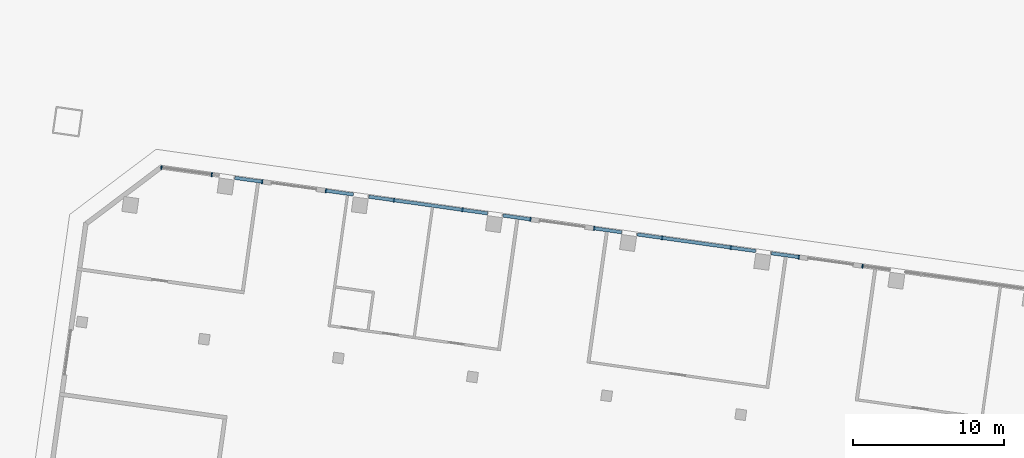
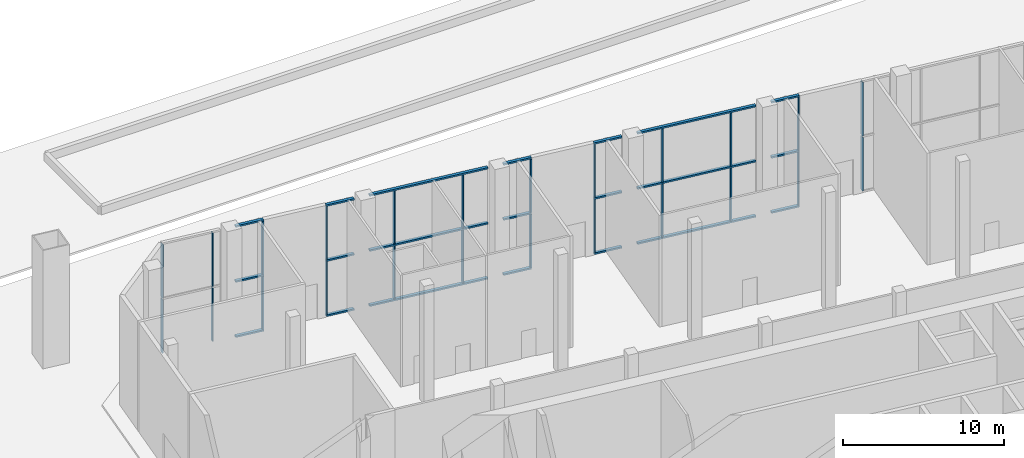
# One storey, part 4 of 34: 45 members, 4 elements without a shape of their own.
"""IFC4 building model written with IfcOpenShell, lengths in metres."""

from ifc_helpers import new_model, si_unit, direction, frame, origin, origin_2d, place, context, subcontext, project, spatial, rectangle, extrude, material, material_profile, profile_set, type_object, element, aggregate, save


model = new_model("IFC4")

# Units and contexts
model_context = context("Model", 3, precision=1e-05, world=origin(), true_north=direction((0.0, 1.0)))
body_context = subcontext(model_context, "Body", "Model", "MODEL_VIEW")
ifc_project = project(units=[si_unit("LENGTHUNIT", "METRE"), si_unit("AREAUNIT", "SQUARE_METRE"), si_unit("VOLUMEUNIT", "CUBIC_METRE"), si_unit("PLANEANGLEUNIT", "RADIAN"), si_unit("MASSUNIT", "GRAM", prefix="KILO")], contexts=[model_context])

# Site, building, storey
site_placement = place(None, origin())
site = spatial("IfcSite", under=ifc_project, at=site_placement, CompositionType="ELEMENT")
building_placement = place(site_placement, origin())
building = spatial("IfcBuilding", under=site, at=building_placement, Name="Mirante Cascada Hotel Towers", CompositionType="ELEMENT")
storey_placement = place(building_placement, origin())
storey = spatial("IfcBuildingStorey", under=building, at=storey_placement, Name="L00", CompositionType="ELEMENT", Elevation=0.0)

# Curtain wall, members
ifc_material_1 = material(Name="Aluminium mullion and transom frame with clear laminated glass", Category="aluminium")
curtain_wall_type = type_object("IfcCurtainWallType", Name="Podium curtain wall ECW3", PredefinedType="NOTDEFINED", material=ifc_material_1)
curtain_wall_1_placement = place(storey_placement, origin())
curtain_wall_1 = element("IfcCurtainWall", 1, at=curtain_wall_1_placement, inside=storey, type_object=curtain_wall_type, Name="Podium curtain wall L00 run front.1", PredefinedType="NOTDEFINED")
ifc_material_2 = material(Name="Anodised aluminium extrusion", Category="aluminium")
ifc_material_profile_1 = material_profile(ifc_material_2, rectangle(XDim=0.26, YDim=0.08, at=origin_2d()), Name="ECW3 MULLION 80x260")
ifc_profile_set_1 = profile_set([ifc_material_profile_1], Name="Anodised aluminium extrusion")
member_type_1 = type_object("IfcMemberType", Name="ECW3 mullion 80x260", PredefinedType="MULLION", material=ifc_profile_set_1)
member_1_placement = place(storey_placement, frame((-94.1185, 26.0465, 0.12), z_axis=(0.0, 0.0, 1.0), x_axis=(0.1391731, 0.9902681, 0.0)))
member_1 = element("IfcMember", 2, at=member_1_placement, type_object=member_type_1, Name="ECW3 mullion 1", PredefinedType="MULLION", context=body_context, shape_type="SweptSolid", body=[
    extrude(rectangle(XDim=0.26, YDim=0.08, at=origin_2d()), origin(), (0.0, 0.0, 1.0), 4.07),
])
member_2_placement = place(storey_placement, frame((-94.1185, 26.0465, 4.31), z_axis=(0.0, 0.0, 1.0), x_axis=(0.1391731, 0.9902681, 0.0)))
member_2 = element("IfcMember", 3, at=member_2_placement, type_object=member_type_1, Name="ECW3 mullion 1", PredefinedType="MULLION", context=body_context, shape_type="SweptSolid", body=[
    extrude(rectangle(XDim=0.26, YDim=0.08, at=origin_2d()), origin(), (0.0, 0.0, 1.0), 4.07),
])
member_3_placement = place(storey_placement, frame((-90.7725, 25.5763, 0.12), z_axis=(0.0, 0.0, 1.0), x_axis=(0.1391731, 0.9902681, 0.0)))
member_3 = element("IfcMember", 4, at=member_3_placement, type_object=member_type_1, Name="ECW3 mullion 2", PredefinedType="MULLION", context=body_context, shape_type="SweptSolid", body=[
    extrude(rectangle(XDim=0.26, YDim=0.08, at=origin_2d()), origin(), (0.0, 0.0, 1.0), 4.07),
])
member_4_placement = place(storey_placement, frame((-90.7725, 25.5763, 4.31), z_axis=(0.0, 0.0, 1.0), x_axis=(0.1391731, 0.9902681, 0.0)))
member_4 = element("IfcMember", 5, at=member_4_placement, type_object=member_type_1, Name="ECW3 mullion 2", PredefinedType="MULLION", context=body_context, shape_type="SweptSolid", body=[
    extrude(rectangle(XDim=0.26, YDim=0.08, at=origin_2d()), origin(), (0.0, 0.0, 1.0), 4.07),
])
member_5_placement = place(storey_placement, frame((-87.4264, 25.106, 0.12), z_axis=(0.0, 0.0, 1.0), x_axis=(0.1391731, 0.9902681, 0.0)))
member_5 = element("IfcMember", 6, at=member_5_placement, type_object=member_type_1, Name="ECW3 mullion 3", PredefinedType="MULLION", context=body_context, shape_type="SweptSolid", body=[
    extrude(rectangle(XDim=0.26, YDim=0.08, at=origin_2d()), origin(), (0.0, 0.0, 1.0), 4.07),
])
member_6_placement = place(storey_placement, frame((-87.4264, 25.106, 4.31), z_axis=(0.0, 0.0, 1.0), x_axis=(0.1391731, 0.9902681, 0.0)))
member_6 = element("IfcMember", 7, at=member_6_placement, type_object=member_type_1, Name="ECW3 mullion 3", PredefinedType="MULLION", context=body_context, shape_type="SweptSolid", body=[
    extrude(rectangle(XDim=0.26, YDim=0.08, at=origin_2d()), origin(), (0.0, 0.0, 1.0), 4.07),
])

curtain_wall_2_placement = place(storey_placement, origin())
curtain_wall_2 = element("IfcCurtainWall", 8, at=curtain_wall_2_placement, inside=storey, type_object=curtain_wall_type, Name="Podium curtain wall L00 run front.3", PredefinedType="NOTDEFINED")
member_7_placement = place(storey_placement, frame((-83.1881, 24.5103, 0.12), z_axis=(0.0, 0.0, 1.0), x_axis=(0.1391731, 0.9902681, 0.0)))
member_7 = element("IfcMember", 9, at=member_7_placement, type_object=member_type_1, Name="ECW3 mullion 1", PredefinedType="MULLION", context=body_context, shape_type="SweptSolid", body=[
    extrude(rectangle(XDim=0.26, YDim=0.08, at=origin_2d()), origin(), (0.0, 0.0, 1.0), 4.07),
])
member_8_placement = place(storey_placement, frame((-83.1881, 24.5103, 4.31), z_axis=(0.0, 0.0, 1.0), x_axis=(0.1391731, 0.9902681, 0.0)))
member_8 = element("IfcMember", 10, at=member_8_placement, type_object=member_type_1, Name="ECW3 mullion 1", PredefinedType="MULLION", context=body_context, shape_type="SweptSolid", body=[
    extrude(rectangle(XDim=0.26, YDim=0.08, at=origin_2d()), origin(), (0.0, 0.0, 1.0), 4.07),
])
member_9_placement = place(storey_placement, frame((-78.6725, 23.8757, 0.12), z_axis=(0.0, 0.0, 1.0), x_axis=(0.1391731, 0.9902681, 0.0)))
member_9 = element("IfcMember", 11, at=member_9_placement, type_object=member_type_1, Name="ECW3 mullion 2", PredefinedType="MULLION", context=body_context, shape_type="SweptSolid", body=[
    extrude(rectangle(XDim=0.26, YDim=0.08, at=origin_2d()), origin(), (0.0, 0.0, 1.0), 4.07),
])
member_10_placement = place(storey_placement, frame((-78.6725, 23.8757, 4.31), z_axis=(0.0, 0.0, 1.0), x_axis=(0.1391731, 0.9902681, 0.0)))
member_10 = element("IfcMember", 12, at=member_10_placement, type_object=member_type_1, Name="ECW3 mullion 2", PredefinedType="MULLION", context=body_context, shape_type="SweptSolid", body=[
    extrude(rectangle(XDim=0.26, YDim=0.08, at=origin_2d()), origin(), (0.0, 0.0, 1.0), 4.07),
])
member_11_placement = place(storey_placement, frame((-74.1172, 23.2355, 0.12), z_axis=(0.0, 0.0, 1.0), x_axis=(0.1391731, 0.9902681, 0.0)))
member_11 = element("IfcMember", 13, at=member_11_placement, type_object=member_type_1, Name="ECW3 mullion 3", PredefinedType="MULLION", context=body_context, shape_type="SweptSolid", body=[
    extrude(rectangle(XDim=0.26, YDim=0.08, at=origin_2d()), origin(), (0.0, 0.0, 1.0), 4.07),
])
member_12_placement = place(storey_placement, frame((-74.1172, 23.2355, 4.31), z_axis=(0.0, 0.0, 1.0), x_axis=(0.1391731, 0.9902681, 0.0)))
member_12 = element("IfcMember", 14, at=member_12_placement, type_object=member_type_1, Name="ECW3 mullion 3", PredefinedType="MULLION", context=body_context, shape_type="SweptSolid", body=[
    extrude(rectangle(XDim=0.26, YDim=0.08, at=origin_2d()), origin(), (0.0, 0.0, 1.0), 4.07),
])
member_13_placement = place(storey_placement, frame((-69.6016, 22.6009, 0.12), z_axis=(0.0, 0.0, 1.0), x_axis=(0.1391731, 0.9902681, 0.0)))
member_13 = element("IfcMember", 15, at=member_13_placement, type_object=member_type_1, Name="ECW3 mullion 4", PredefinedType="MULLION", context=body_context, shape_type="SweptSolid", body=[
    extrude(rectangle(XDim=0.26, YDim=0.08, at=origin_2d()), origin(), (0.0, 0.0, 1.0), 4.07),
])
member_14_placement = place(storey_placement, frame((-69.6016, 22.6009, 4.31), z_axis=(0.0, 0.0, 1.0), x_axis=(0.1391731, 0.9902681, 0.0)))
member_14 = element("IfcMember", 16, at=member_14_placement, type_object=member_type_1, Name="ECW3 mullion 4", PredefinedType="MULLION", context=body_context, shape_type="SweptSolid", body=[
    extrude(rectangle(XDim=0.26, YDim=0.08, at=origin_2d()), origin(), (0.0, 0.0, 1.0), 4.07),
])

curtain_wall_3_placement = place(storey_placement, origin())
curtain_wall_3 = element("IfcCurtainWall", 17, at=curtain_wall_3_placement, inside=storey, type_object=curtain_wall_type, Name="Podium curtain wall L00 run front.5", PredefinedType="NOTDEFINED")
member_15_placement = place(storey_placement, frame((-65.3633, 22.0052, 0.12), z_axis=(0.0, 0.0, 1.0), x_axis=(0.1391731, 0.9902681, 0.0)))
member_15 = element("IfcMember", 18, at=member_15_placement, type_object=member_type_1, Name="ECW3 mullion 1", PredefinedType="MULLION", context=body_context, shape_type="SweptSolid", body=[
    extrude(rectangle(XDim=0.26, YDim=0.08, at=origin_2d()), origin(), (0.0, 0.0, 1.0), 4.07),
])
member_16_placement = place(storey_placement, frame((-65.3633, 22.0052, 4.31), z_axis=(0.0, 0.0, 1.0), x_axis=(0.1391731, 0.9902681, 0.0)))
member_16 = element("IfcMember", 19, at=member_16_placement, type_object=member_type_1, Name="ECW3 mullion 1", PredefinedType="MULLION", context=body_context, shape_type="SweptSolid", body=[
    extrude(rectangle(XDim=0.26, YDim=0.08, at=origin_2d()), origin(), (0.0, 0.0, 1.0), 4.07),
])
member_17_placement = place(storey_placement, frame((-60.8476, 21.3706, 0.12), z_axis=(0.0, 0.0, 1.0), x_axis=(0.1391731, 0.9902681, 0.0)))
member_17 = element("IfcMember", 20, at=member_17_placement, type_object=member_type_1, Name="ECW3 mullion 2", PredefinedType="MULLION", context=body_context, shape_type="SweptSolid", body=[
    extrude(rectangle(XDim=0.26, YDim=0.08, at=origin_2d()), origin(), (0.0, 0.0, 1.0), 4.07),
])
member_18_placement = place(storey_placement, frame((-60.8476, 21.3706, 4.31), z_axis=(0.0, 0.0, 1.0), x_axis=(0.1391731, 0.9902681, 0.0)))
member_18 = element("IfcMember", 21, at=member_18_placement, type_object=member_type_1, Name="ECW3 mullion 2", PredefinedType="MULLION", context=body_context, shape_type="SweptSolid", body=[
    extrude(rectangle(XDim=0.26, YDim=0.08, at=origin_2d()), origin(), (0.0, 0.0, 1.0), 4.07),
])
member_19_placement = place(storey_placement, frame((-56.2924, 20.7304, 0.12), z_axis=(0.0, 0.0, 1.0), x_axis=(0.1391731, 0.9902681, 0.0)))
member_19 = element("IfcMember", 22, at=member_19_placement, type_object=member_type_1, Name="ECW3 mullion 3", PredefinedType="MULLION", context=body_context, shape_type="SweptSolid", body=[
    extrude(rectangle(XDim=0.26, YDim=0.08, at=origin_2d()), origin(), (0.0, 0.0, 1.0), 4.07),
])
member_20_placement = place(storey_placement, frame((-56.2924, 20.7304, 4.31), z_axis=(0.0, 0.0, 1.0), x_axis=(0.1391731, 0.9902681, 0.0)))
member_20 = element("IfcMember", 23, at=member_20_placement, type_object=member_type_1, Name="ECW3 mullion 3", PredefinedType="MULLION", context=body_context, shape_type="SweptSolid", body=[
    extrude(rectangle(XDim=0.26, YDim=0.08, at=origin_2d()), origin(), (0.0, 0.0, 1.0), 4.07),
])
member_21_placement = place(storey_placement, frame((-51.7768, 20.0958, 0.12), z_axis=(0.0, 0.0, 1.0), x_axis=(0.1391731, 0.9902681, 0.0)))
member_21 = element("IfcMember", 24, at=member_21_placement, type_object=member_type_1, Name="ECW3 mullion 4", PredefinedType="MULLION", context=body_context, shape_type="SweptSolid", body=[
    extrude(rectangle(XDim=0.26, YDim=0.08, at=origin_2d()), origin(), (0.0, 0.0, 1.0), 4.07),
])
member_22_placement = place(storey_placement, frame((-51.7768, 20.0958, 4.31), z_axis=(0.0, 0.0, 1.0), x_axis=(0.1391731, 0.9902681, 0.0)))
member_22 = element("IfcMember", 25, at=member_22_placement, type_object=member_type_1, Name="ECW3 mullion 4", PredefinedType="MULLION", context=body_context, shape_type="SweptSolid", body=[
    extrude(rectangle(XDim=0.26, YDim=0.08, at=origin_2d()), origin(), (0.0, 0.0, 1.0), 4.07),
])

curtain_wall_4_placement = place(storey_placement, origin())
curtain_wall_4 = element("IfcCurtainWall", 26, at=curtain_wall_4_placement, inside=storey, type_object=curtain_wall_type, Name="Podium curtain wall L00 run front.7", PredefinedType="NOTDEFINED")
member_23_placement = place(storey_placement, frame((-47.5384, 19.5001, 0.12), z_axis=(0.0, 0.0, 1.0), x_axis=(0.1391731, 0.9902681, 0.0)))
member_23 = element("IfcMember", 27, at=member_23_placement, type_object=member_type_1, Name="ECW3 mullion 1", PredefinedType="MULLION", context=body_context, shape_type="SweptSolid", body=[
    extrude(rectangle(XDim=0.26, YDim=0.08, at=origin_2d()), origin(), (0.0, 0.0, 1.0), 4.07),
])
member_24_placement = place(storey_placement, frame((-47.5384, 19.5001, 4.31), z_axis=(0.0, 0.0, 1.0), x_axis=(0.1391731, 0.9902681, 0.0)))
member_24 = element("IfcMember", 28, at=member_24_placement, type_object=member_type_1, Name="ECW3 mullion 1", PredefinedType="MULLION", context=body_context, shape_type="SweptSolid", body=[
    extrude(rectangle(XDim=0.26, YDim=0.08, at=origin_2d()), origin(), (0.0, 0.0, 1.0), 4.07),
])
aggregate(curtain_wall_4, [member_23, member_24])

# Member
ifc_material_3 = material(Name="Anodised aluminium extrusion", Category="aluminium")
ifc_material_profile_2 = material_profile(ifc_material_3, rectangle(XDim=0.22, YDim=0.12, at=origin_2d()), Name="ECW3 TRANSOM 120x220")
ifc_profile_set_2 = profile_set([ifc_material_profile_2], Name="Anodised aluminium extrusion")
member_type_2 = type_object("IfcMemberType", Name="ECW3 transom 120x220", PredefinedType="USERDEFINED", material=ifc_profile_set_2)
member_25_placement = place(storey_placement, frame((-89.2485, 25.3621, 0.06), z_axis=(0.990264, -0.1392019, 0.0), x_axis=(0.1392019, 0.990264, 0.0)))
member_25 = element("IfcMember", 29, at=member_25_placement, type_object=member_type_2, Name="ECW3 sill transom", ObjectType="TRANSOM", PredefinedType="USERDEFINED", context=body_context, shape_type="SweptSolid", body=[
    extrude(rectangle(XDim=0.22, YDim=0.12, at=origin_2d()), origin(), (0.0, 0.0, 1.0), 1.88),
])

member_26_placement = place(storey_placement, frame((-89.2485, 25.3621, 4.25), z_axis=(0.990264, -0.1392019, 0.0), x_axis=(0.1392019, 0.990264, 0.0)))
member_26 = element("IfcMember", 30, at=member_26_placement, type_object=member_type_2, Name="ECW3 intermediate transom", ObjectType="TRANSOM", PredefinedType="USERDEFINED", context=body_context, shape_type="SweptSolid", body=[
    extrude(rectangle(XDim=0.22, YDim=0.12, at=origin_2d()), origin(), (0.0, 0.0, 1.0), 1.88),
])

member_27_placement = place(storey_placement, frame((-89.2485, 25.3621, 8.44), z_axis=(0.990264, -0.1392019, 0.0), x_axis=(0.1392019, 0.990264, 0.0)))
member_27 = element("IfcMember", 31, at=member_27_placement, type_object=member_type_2, Name="ECW3 head transom", ObjectType="TRANSOM", PredefinedType="USERDEFINED", context=body_context, shape_type="SweptSolid", body=[
    extrude(rectangle(XDim=0.22, YDim=0.12, at=origin_2d()), origin(), (0.0, 0.0, 1.0), 1.88),
])

aggregate(curtain_wall_1, [member_25, member_26, member_27, member_1, member_2, member_3, member_4, member_5, member_6])

member_28_placement = place(storey_placement, frame((-83.2277, 24.5159, 0.06), z_axis=(0.9902714, -0.1391497, 0.0), x_axis=(0.1391497, 0.9902714, 0.0)))
member_28 = element("IfcMember", 32, at=member_28_placement, type_object=member_type_2, Name="ECW3 sill transom", ObjectType="TRANSOM", PredefinedType="USERDEFINED", context=body_context, shape_type="SweptSolid", body=[
    extrude(rectangle(XDim=0.22, YDim=0.12, at=origin_2d()), origin(), (0.0, 0.0, 1.0), 1.88),
])

member_29_placement = place(storey_placement, frame((-80.3361, 24.1095, 0.06), z_axis=(0.9902683, -0.1391715, 0.0), x_axis=(0.1391715, 0.9902683, 0.0)))
member_29 = element("IfcMember", 33, at=member_29_placement, type_object=member_type_2, Name="ECW3 sill transom", ObjectType="TRANSOM", PredefinedType="USERDEFINED", context=body_context, shape_type="SweptSolid", body=[
    extrude(rectangle(XDim=0.22, YDim=0.12, at=origin_2d()), origin(), (0.0, 0.0, 1.0), 7.96),
])

member_30_placement = place(storey_placement, frame((-71.4237, 22.857, 0.06), z_axis=(0.990264, -0.1392019, 0.0), x_axis=(0.1392019, 0.990264, 0.0)))
member_30 = element("IfcMember", 34, at=member_30_placement, type_object=member_type_2, Name="ECW3 sill transom", ObjectType="TRANSOM", PredefinedType="USERDEFINED", context=body_context, shape_type="SweptSolid", body=[
    extrude(rectangle(XDim=0.22, YDim=0.12, at=origin_2d()), origin(), (0.0, 0.0, 1.0), 1.88),
])

member_31_placement = place(storey_placement, frame((-83.2277, 24.5159, 4.25), z_axis=(0.9902714, -0.1391497, 0.0), x_axis=(0.1391497, 0.9902714, 0.0)))
member_31 = element("IfcMember", 35, at=member_31_placement, type_object=member_type_2, Name="ECW3 intermediate transom", ObjectType="TRANSOM", PredefinedType="USERDEFINED", context=body_context, shape_type="SweptSolid", body=[
    extrude(rectangle(XDim=0.22, YDim=0.12, at=origin_2d()), origin(), (0.0, 0.0, 1.0), 1.88),
])

member_32_placement = place(storey_placement, frame((-80.3361, 24.1095, 4.25), z_axis=(0.9902683, -0.1391715, 0.0), x_axis=(0.1391715, 0.9902683, 0.0)))
member_32 = element("IfcMember", 36, at=member_32_placement, type_object=member_type_2, Name="ECW3 intermediate transom", ObjectType="TRANSOM", PredefinedType="USERDEFINED", context=body_context, shape_type="SweptSolid", body=[
    extrude(rectangle(XDim=0.22, YDim=0.12, at=origin_2d()), origin(), (0.0, 0.0, 1.0), 7.96),
])

member_33_placement = place(storey_placement, frame((-71.4237, 22.857, 4.25), z_axis=(0.990264, -0.1392019, 0.0), x_axis=(0.1392019, 0.990264, 0.0)))
member_33 = element("IfcMember", 37, at=member_33_placement, type_object=member_type_2, Name="ECW3 intermediate transom", ObjectType="TRANSOM", PredefinedType="USERDEFINED", context=body_context, shape_type="SweptSolid", body=[
    extrude(rectangle(XDim=0.22, YDim=0.12, at=origin_2d()), origin(), (0.0, 0.0, 1.0), 1.88),
])

member_34_placement = place(storey_placement, frame((-83.2277, 24.5159, 8.44), z_axis=(0.9902714, -0.1391497, 0.0), x_axis=(0.1391497, 0.9902714, 0.0)))
member_34 = element("IfcMember", 38, at=member_34_placement, type_object=member_type_2, Name="ECW3 head transom", ObjectType="TRANSOM", PredefinedType="USERDEFINED", context=body_context, shape_type="SweptSolid", body=[
    extrude(rectangle(XDim=0.22, YDim=0.12, at=origin_2d()), origin(), (0.0, 0.0, 1.0), 1.88),
])

member_35_placement = place(storey_placement, frame((-80.3361, 24.1095, 8.44), z_axis=(0.9902683, -0.1391715, 0.0), x_axis=(0.1391715, 0.9902683, 0.0)))
member_35 = element("IfcMember", 39, at=member_35_placement, type_object=member_type_2, Name="ECW3 head transom", ObjectType="TRANSOM", PredefinedType="USERDEFINED", context=body_context, shape_type="SweptSolid", body=[
    extrude(rectangle(XDim=0.22, YDim=0.12, at=origin_2d()), origin(), (0.0, 0.0, 1.0), 7.96),
])

member_36_placement = place(storey_placement, frame((-71.4237, 22.857, 8.44), z_axis=(0.990264, -0.1392019, 0.0), x_axis=(0.1392019, 0.990264, 0.0)))
member_36 = element("IfcMember", 40, at=member_36_placement, type_object=member_type_2, Name="ECW3 head transom", ObjectType="TRANSOM", PredefinedType="USERDEFINED", context=body_context, shape_type="SweptSolid", body=[
    extrude(rectangle(XDim=0.22, YDim=0.12, at=origin_2d()), origin(), (0.0, 0.0, 1.0), 1.88),
])

aggregate(curtain_wall_2, [member_28, member_29, member_30, member_31, member_32, member_33, member_34, member_35, member_36, member_7, member_8, member_9, member_10, member_11, member_12, member_13, member_14])

member_37_placement = place(storey_placement, frame((-65.4029, 22.0108, 0.06), z_axis=(0.9902714, -0.1391497, 0.0), x_axis=(0.1391497, 0.9902714, 0.0)))
member_37 = element("IfcMember", 41, at=member_37_placement, type_object=member_type_2, Name="ECW3 sill transom", ObjectType="TRANSOM", PredefinedType="USERDEFINED", context=body_context, shape_type="SweptSolid", body=[
    extrude(rectangle(XDim=0.22, YDim=0.12, at=origin_2d()), origin(), (0.0, 0.0, 1.0), 1.88),
])

member_38_placement = place(storey_placement, frame((-62.5113, 21.6044, 0.06), z_axis=(0.9902683, -0.1391715, 0.0), x_axis=(0.1391715, 0.9902683, 0.0)))
member_38 = element("IfcMember", 42, at=member_38_placement, type_object=member_type_2, Name="ECW3 sill transom", ObjectType="TRANSOM", PredefinedType="USERDEFINED", context=body_context, shape_type="SweptSolid", body=[
    extrude(rectangle(XDim=0.22, YDim=0.12, at=origin_2d()), origin(), (0.0, 0.0, 1.0), 7.96),
])

member_39_placement = place(storey_placement, frame((-53.5989, 20.3519, 0.06), z_axis=(0.990264, -0.1392019, 0.0), x_axis=(0.1392019, 0.990264, 0.0)))
member_39 = element("IfcMember", 43, at=member_39_placement, type_object=member_type_2, Name="ECW3 sill transom", ObjectType="TRANSOM", PredefinedType="USERDEFINED", context=body_context, shape_type="SweptSolid", body=[
    extrude(rectangle(XDim=0.22, YDim=0.12, at=origin_2d()), origin(), (0.0, 0.0, 1.0), 1.88),
])

member_40_placement = place(storey_placement, frame((-65.4029, 22.0108, 4.25), z_axis=(0.9902714, -0.1391497, 0.0), x_axis=(0.1391497, 0.9902714, 0.0)))
member_40 = element("IfcMember", 44, at=member_40_placement, type_object=member_type_2, Name="ECW3 intermediate transom", ObjectType="TRANSOM", PredefinedType="USERDEFINED", context=body_context, shape_type="SweptSolid", body=[
    extrude(rectangle(XDim=0.22, YDim=0.12, at=origin_2d()), origin(), (0.0, 0.0, 1.0), 1.88),
])

member_41_placement = place(storey_placement, frame((-62.5113, 21.6044, 4.25), z_axis=(0.9902683, -0.1391715, 0.0), x_axis=(0.1391715, 0.9902683, 0.0)))
member_41 = element("IfcMember", 45, at=member_41_placement, type_object=member_type_2, Name="ECW3 intermediate transom", ObjectType="TRANSOM", PredefinedType="USERDEFINED", context=body_context, shape_type="SweptSolid", body=[
    extrude(rectangle(XDim=0.22, YDim=0.12, at=origin_2d()), origin(), (0.0, 0.0, 1.0), 7.96),
])

member_42_placement = place(storey_placement, frame((-53.5989, 20.3519, 4.25), z_axis=(0.990264, -0.1392019, 0.0), x_axis=(0.1392019, 0.990264, 0.0)))
member_42 = element("IfcMember", 46, at=member_42_placement, type_object=member_type_2, Name="ECW3 intermediate transom", ObjectType="TRANSOM", PredefinedType="USERDEFINED", context=body_context, shape_type="SweptSolid", body=[
    extrude(rectangle(XDim=0.22, YDim=0.12, at=origin_2d()), origin(), (0.0, 0.0, 1.0), 1.88),
])

member_43_placement = place(storey_placement, frame((-65.4029, 22.0108, 8.44), z_axis=(0.9902714, -0.1391497, 0.0), x_axis=(0.1391497, 0.9902714, 0.0)))
member_43 = element("IfcMember", 47, at=member_43_placement, type_object=member_type_2, Name="ECW3 head transom", ObjectType="TRANSOM", PredefinedType="USERDEFINED", context=body_context, shape_type="SweptSolid", body=[
    extrude(rectangle(XDim=0.22, YDim=0.12, at=origin_2d()), origin(), (0.0, 0.0, 1.0), 1.88),
])

member_44_placement = place(storey_placement, frame((-62.5113, 21.6044, 8.44), z_axis=(0.9902683, -0.1391715, 0.0), x_axis=(0.1391715, 0.9902683, 0.0)))
member_44 = element("IfcMember", 48, at=member_44_placement, type_object=member_type_2, Name="ECW3 head transom", ObjectType="TRANSOM", PredefinedType="USERDEFINED", context=body_context, shape_type="SweptSolid", body=[
    extrude(rectangle(XDim=0.22, YDim=0.12, at=origin_2d()), origin(), (0.0, 0.0, 1.0), 7.96),
])

member_45_placement = place(storey_placement, frame((-53.5989, 20.3519, 8.44), z_axis=(0.990264, -0.1392019, 0.0), x_axis=(0.1392019, 0.990264, 0.0)))
member_45 = element("IfcMember", 49, at=member_45_placement, type_object=member_type_2, Name="ECW3 head transom", ObjectType="TRANSOM", PredefinedType="USERDEFINED", context=body_context, shape_type="SweptSolid", body=[
    extrude(rectangle(XDim=0.22, YDim=0.12, at=origin_2d()), origin(), (0.0, 0.0, 1.0), 1.88),
])

aggregate(curtain_wall_3, [member_37, member_38, member_39, member_40, member_41, member_42, member_43, member_44, member_45, member_15, member_16, member_17, member_18, member_19, member_20, member_21, member_22])

save(model, "model.ifc")
